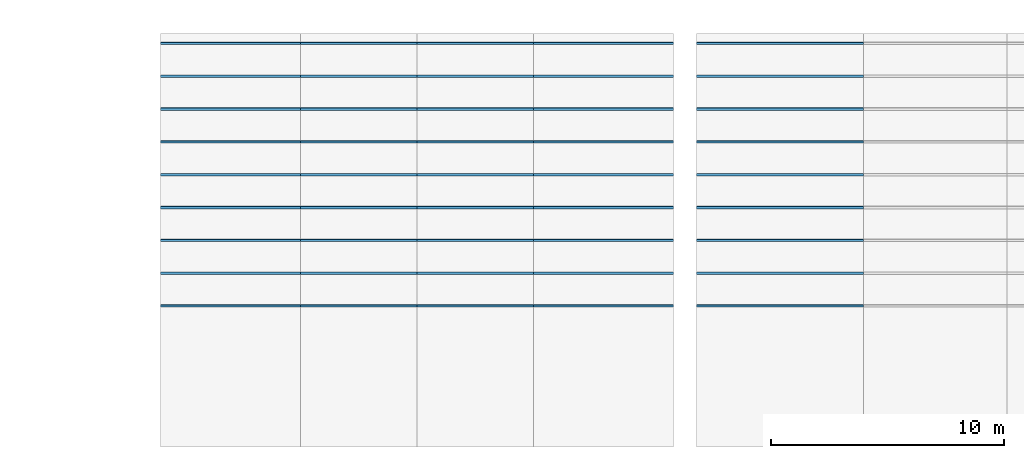
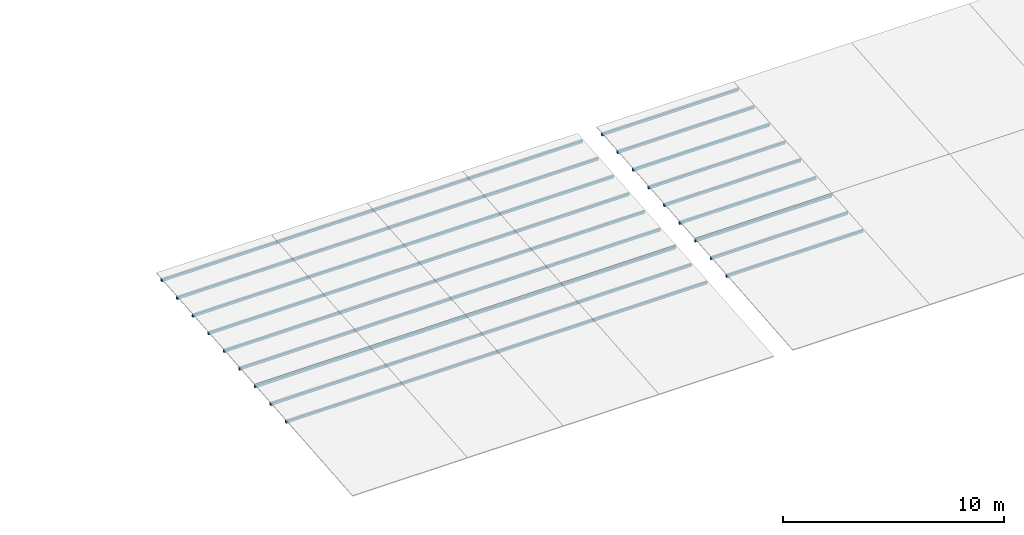
# One storey, part 5 of 24: 45 members.
"""IFC4 building model written with IfcOpenShell, lengths in metres."""

from ifc_helpers import new_model, si_unit, direction, frame, origin, origin_2d, place, context, subcontext, project, spatial, hollow_rectangle, extrude, material, material_profile, profile_set, type_object, element, save


model = new_model("IFC4")

# Units and contexts
model_context = context("Model", 3, precision=1e-05, world=origin(), true_north=direction((0.0, 1.0)))
body_context = subcontext(model_context, "Body", "Model", "MODEL_VIEW")
ifc_project = project(units=[si_unit("LENGTHUNIT", "METRE"), si_unit("AREAUNIT", "SQUARE_METRE"), si_unit("VOLUMEUNIT", "CUBIC_METRE"), si_unit("PLANEANGLEUNIT", "RADIAN"), si_unit("MASSUNIT", "GRAM", prefix="KILO")], contexts=[model_context])

# Site, building, storey
site_placement = place(None, origin())
site = spatial("IfcSite", under=ifc_project, at=site_placement, CompositionType="ELEMENT")
building_placement = place(site_placement, origin())
building = spatial("IfcBuilding", under=site, at=building_placement, Name="Cour d'Honneur Mobility Palace", CompositionType="ELEMENT")
storey_placement = place(building_placement, frame((0.0, 0.0, 26.699951171875)))
storey = spatial("IfcBuildingStorey", under=building, at=storey_placement, Name="L07", CompositionType="ELEMENT", Elevation=26.699951171875)

# Members
ifc_material = material(Name="Steel S355", Category="steel")
ifc_material_profile = material_profile(ifc_material, hollow_rectangle(XDim=0.10009765625, YDim=0.14990234375, WallThickness=0.00634765625, at=origin_2d()), Name="RHS 150x100x6.3")
ifc_profile_set = profile_set([ifc_material_profile], Name="Steel S355")
member_type = type_object("IfcMemberType", Name="Pergola purlin RHS 150x100x6.3", PredefinedType="PURLIN", material=ifc_profile_set)
for number, where, z_axis, x_axis, name in (
    (1, (118.800048828125, 50.885009765625, 0.18115234375), (1.0, 0.0, 0.0), (0.0, 0.996196869991, 0.08713091426), "Pergola purlin FE-5.1"),
    (2, (118.800048828125, 52.29248046875, 0.30419921875), (1.0, 0.0, 0.0), (0.0, 0.996196869991, 0.08713091426), "Pergola purlin FE-6.1"),
    (3, (118.800048828125, 53.699951171875, 0.42724609375), (1.0, 0.0, 0.0), (0.0, 0.996196869991, 0.08713091426), "Pergola purlin FE-7.1"),
    (4, (118.800048828125, 55.107421875, 0.55029296875), (1.0, 0.0, 0.0), (0.0, 0.996196869991, 0.08713091426), "Pergola purlin FE-8.1"),
    (5, (118.800048828125, 56.514892578125, 0.67333984375), (1.0, 0.0, 0.0), (0.0, 0.996196869991, 0.08713091426), "Pergola purlin FE-9.1"),
    (6, (118.800048828125, 57.922607421875, 0.796630859375), (1.0, 0.0, 0.0), (0.0, 0.996196869991, 0.08713091426), "Pergola purlin FE-10.1"),
    (7, (118.800048828125, 59.330078125, 0.919677734375), (1.0, 0.0, 0.0), (0.0, 0.996196869991, 0.08713091426), "Pergola purlin FE-11.1"),
    (8, (118.800048828125, 60.737548828125, 1.042724609375), (1.0, 0.0, 0.0), (0.0, 0.996196869991, 0.08713091426), "Pergola purlin FE-12.1"),
    (9, (118.800048828125, 62.14501953125, 1.165771484375), (1.0, 0.0, 0.0), (0.0, 0.996196869991, 0.08713091426), "Pergola purlin FE-13.1"),
):
    element("IfcMember", number, at=place(storey_placement, frame(where, z_axis=z_axis, x_axis=x_axis)), inside=storey, type_object=member_type, Name=name, PredefinedType="PURLIN", context=body_context, shape_type="SweptSolid", body=[
        extrude(hollow_rectangle(XDim=0.10009765625, YDim=0.14990234375, WallThickness=0.00634765625, at=origin_2d()), origin(), (0.0, 0.0, 1.0), 7.14990234375),
    ])
member_1_placement = place(storey_placement, frame((95.800048828125, 50.885009765625, 0.18115234375), z_axis=(1.0, 0.0, 0.0), x_axis=(0.0, 0.996196869991, 0.08713091426)))
element("IfcMember", 10, at=member_1_placement, inside=storey, type_object=member_type, Name="Pergola purlin PE-5.1", PredefinedType="PURLIN", context=body_context, shape_type="SweptSolid", body=[
    extrude(hollow_rectangle(XDim=0.10009765625, YDim=0.14990234375, WallThickness=0.00634765625, at=origin_2d()), origin(), (0.0, 0.0, 1.0), 6.0),
])
for number, where, z_axis, x_axis, name in (
    (11, (101.800048828125, 50.885009765625, 0.18115234375), (1.0, 0.0, 0.0), (0.0, 0.996196869991, 0.08713091426), "Pergola purlin PE-5.2"),
    (12, (106.800048828125, 50.885009765625, 0.18115234375), (1.0, 0.0, 0.0), (0.0, 0.996196869991, 0.08713091426), "Pergola purlin PE-5.3"),
):
    element("IfcMember", number, at=place(storey_placement, frame(where, z_axis=z_axis, x_axis=x_axis)), inside=storey, type_object=member_type, Name=name, PredefinedType="PURLIN", context=body_context, shape_type="SweptSolid", body=[
        extrude(hollow_rectangle(XDim=0.10009765625, YDim=0.14990234375, WallThickness=0.00634765625, at=origin_2d()), origin(), (0.0, 0.0, 1.0), 5.0),
    ])
for number, where, z_axis, x_axis, name in (
    (13, (111.800048828125, 50.885009765625, 0.18115234375), (1.0, 0.0, 0.0), (0.0, 0.996196869991, 0.08713091426), "Pergola purlin PE-5.4"),
    (14, (95.800048828125, 52.29248046875, 0.30419921875), (1.0, 0.0, 0.0), (0.0, 0.996196869991, 0.08713091426), "Pergola purlin PE-6.1"),
):
    element("IfcMember", number, at=place(storey_placement, frame(where, z_axis=z_axis, x_axis=x_axis)), inside=storey, type_object=member_type, Name=name, PredefinedType="PURLIN", context=body_context, shape_type="SweptSolid", body=[
        extrude(hollow_rectangle(XDim=0.10009765625, YDim=0.14990234375, WallThickness=0.00634765625, at=origin_2d()), origin(), (0.0, 0.0, 1.0), 6.0),
    ])
for number, where, z_axis, x_axis, name in (
    (15, (101.800048828125, 52.29248046875, 0.30419921875), (1.0, 0.0, 0.0), (0.0, 0.996196869991, 0.08713091426), "Pergola purlin PE-6.2"),
    (16, (106.800048828125, 52.29248046875, 0.30419921875), (1.0, 0.0, 0.0), (0.0, 0.996196869991, 0.08713091426), "Pergola purlin PE-6.3"),
):
    element("IfcMember", number, at=place(storey_placement, frame(where, z_axis=z_axis, x_axis=x_axis)), inside=storey, type_object=member_type, Name=name, PredefinedType="PURLIN", context=body_context, shape_type="SweptSolid", body=[
        extrude(hollow_rectangle(XDim=0.10009765625, YDim=0.14990234375, WallThickness=0.00634765625, at=origin_2d()), origin(), (0.0, 0.0, 1.0), 5.0),
    ])
for number, where, z_axis, x_axis, name in (
    (17, (111.800048828125, 52.29248046875, 0.30419921875), (1.0, 0.0, 0.0), (0.0, 0.996196869991, 0.08713091426), "Pergola purlin PE-6.4"),
    (18, (95.800048828125, 53.699951171875, 0.42724609375), (1.0, 0.0, 0.0), (0.0, 0.996196869991, 0.08713091426), "Pergola purlin PE-7.1"),
):
    element("IfcMember", number, at=place(storey_placement, frame(where, z_axis=z_axis, x_axis=x_axis)), inside=storey, type_object=member_type, Name=name, PredefinedType="PURLIN", context=body_context, shape_type="SweptSolid", body=[
        extrude(hollow_rectangle(XDim=0.10009765625, YDim=0.14990234375, WallThickness=0.00634765625, at=origin_2d()), origin(), (0.0, 0.0, 1.0), 6.0),
    ])
for number, where, z_axis, x_axis, name in (
    (19, (101.800048828125, 53.699951171875, 0.42724609375), (1.0, 0.0, 0.0), (0.0, 0.996196869991, 0.08713091426), "Pergola purlin PE-7.2"),
    (20, (106.800048828125, 53.699951171875, 0.42724609375), (1.0, 0.0, 0.0), (0.0, 0.996196869991, 0.08713091426), "Pergola purlin PE-7.3"),
):
    element("IfcMember", number, at=place(storey_placement, frame(where, z_axis=z_axis, x_axis=x_axis)), inside=storey, type_object=member_type, Name=name, PredefinedType="PURLIN", context=body_context, shape_type="SweptSolid", body=[
        extrude(hollow_rectangle(XDim=0.10009765625, YDim=0.14990234375, WallThickness=0.00634765625, at=origin_2d()), origin(), (0.0, 0.0, 1.0), 5.0),
    ])
for number, where, z_axis, x_axis, name in (
    (21, (111.800048828125, 53.699951171875, 0.42724609375), (1.0, 0.0, 0.0), (0.0, 0.996196869991, 0.08713091426), "Pergola purlin PE-7.4"),
    (22, (95.800048828125, 55.107421875, 0.55029296875), (1.0, 0.0, 0.0), (0.0, 0.996196869991, 0.08713091426), "Pergola purlin PE-8.1"),
):
    element("IfcMember", number, at=place(storey_placement, frame(where, z_axis=z_axis, x_axis=x_axis)), inside=storey, type_object=member_type, Name=name, PredefinedType="PURLIN", context=body_context, shape_type="SweptSolid", body=[
        extrude(hollow_rectangle(XDim=0.10009765625, YDim=0.14990234375, WallThickness=0.00634765625, at=origin_2d()), origin(), (0.0, 0.0, 1.0), 6.0),
    ])
for number, where, z_axis, x_axis, name in (
    (23, (101.800048828125, 55.107421875, 0.55029296875), (1.0, 0.0, 0.0), (0.0, 0.996196869991, 0.08713091426), "Pergola purlin PE-8.2"),
    (24, (106.800048828125, 55.107421875, 0.55029296875), (1.0, 0.0, 0.0), (0.0, 0.996196869991, 0.08713091426), "Pergola purlin PE-8.3"),
):
    element("IfcMember", number, at=place(storey_placement, frame(where, z_axis=z_axis, x_axis=x_axis)), inside=storey, type_object=member_type, Name=name, PredefinedType="PURLIN", context=body_context, shape_type="SweptSolid", body=[
        extrude(hollow_rectangle(XDim=0.10009765625, YDim=0.14990234375, WallThickness=0.00634765625, at=origin_2d()), origin(), (0.0, 0.0, 1.0), 5.0),
    ])
for number, where, z_axis, x_axis, name in (
    (25, (111.800048828125, 55.107421875, 0.55029296875), (1.0, 0.0, 0.0), (0.0, 0.996196869991, 0.08713091426), "Pergola purlin PE-8.4"),
    (26, (95.800048828125, 56.514892578125, 0.67333984375), (1.0, 0.0, 0.0), (0.0, 0.996196869991, 0.08713091426), "Pergola purlin PE-9.1"),
):
    element("IfcMember", number, at=place(storey_placement, frame(where, z_axis=z_axis, x_axis=x_axis)), inside=storey, type_object=member_type, Name=name, PredefinedType="PURLIN", context=body_context, shape_type="SweptSolid", body=[
        extrude(hollow_rectangle(XDim=0.10009765625, YDim=0.14990234375, WallThickness=0.00634765625, at=origin_2d()), origin(), (0.0, 0.0, 1.0), 6.0),
    ])
for number, where, z_axis, x_axis, name in (
    (27, (101.800048828125, 56.514892578125, 0.67333984375), (1.0, 0.0, 0.0), (0.0, 0.996196869991, 0.08713091426), "Pergola purlin PE-9.2"),
    (28, (106.800048828125, 56.514892578125, 0.67333984375), (1.0, 0.0, 0.0), (0.0, 0.996196869991, 0.08713091426), "Pergola purlin PE-9.3"),
):
    element("IfcMember", number, at=place(storey_placement, frame(where, z_axis=z_axis, x_axis=x_axis)), inside=storey, type_object=member_type, Name=name, PredefinedType="PURLIN", context=body_context, shape_type="SweptSolid", body=[
        extrude(hollow_rectangle(XDim=0.10009765625, YDim=0.14990234375, WallThickness=0.00634765625, at=origin_2d()), origin(), (0.0, 0.0, 1.0), 5.0),
    ])
for number, where, z_axis, x_axis, name in (
    (29, (111.800048828125, 56.514892578125, 0.67333984375), (1.0, 0.0, 0.0), (0.0, 0.996196869991, 0.08713091426), "Pergola purlin PE-9.4"),
    (30, (95.800048828125, 57.922607421875, 0.796630859375), (1.0, 0.0, 0.0), (0.0, 0.996196869991, 0.08713091426), "Pergola purlin PE-10.1"),
):
    element("IfcMember", number, at=place(storey_placement, frame(where, z_axis=z_axis, x_axis=x_axis)), inside=storey, type_object=member_type, Name=name, PredefinedType="PURLIN", context=body_context, shape_type="SweptSolid", body=[
        extrude(hollow_rectangle(XDim=0.10009765625, YDim=0.14990234375, WallThickness=0.00634765625, at=origin_2d()), origin(), (0.0, 0.0, 1.0), 6.0),
    ])
for number, where, z_axis, x_axis, name in (
    (31, (101.800048828125, 57.922607421875, 0.796630859375), (1.0, 0.0, 0.0), (0.0, 0.996196869991, 0.08713091426), "Pergola purlin PE-10.2"),
    (32, (106.800048828125, 57.922607421875, 0.796630859375), (1.0, 0.0, 0.0), (0.0, 0.996196869991, 0.08713091426), "Pergola purlin PE-10.3"),
):
    element("IfcMember", number, at=place(storey_placement, frame(where, z_axis=z_axis, x_axis=x_axis)), inside=storey, type_object=member_type, Name=name, PredefinedType="PURLIN", context=body_context, shape_type="SweptSolid", body=[
        extrude(hollow_rectangle(XDim=0.10009765625, YDim=0.14990234375, WallThickness=0.00634765625, at=origin_2d()), origin(), (0.0, 0.0, 1.0), 5.0),
    ])
for number, where, z_axis, x_axis, name in (
    (33, (111.800048828125, 57.922607421875, 0.796630859375), (1.0, 0.0, 0.0), (0.0, 0.996196869991, 0.08713091426), "Pergola purlin PE-10.4"),
    (34, (95.800048828125, 59.330078125, 0.919677734375), (1.0, 0.0, 0.0), (0.0, 0.996196869991, 0.08713091426), "Pergola purlin PE-11.1"),
):
    element("IfcMember", number, at=place(storey_placement, frame(where, z_axis=z_axis, x_axis=x_axis)), inside=storey, type_object=member_type, Name=name, PredefinedType="PURLIN", context=body_context, shape_type="SweptSolid", body=[
        extrude(hollow_rectangle(XDim=0.10009765625, YDim=0.14990234375, WallThickness=0.00634765625, at=origin_2d()), origin(), (0.0, 0.0, 1.0), 6.0),
    ])
for number, where, z_axis, x_axis, name in (
    (35, (101.800048828125, 59.330078125, 0.919677734375), (1.0, 0.0, 0.0), (0.0, 0.996196869991, 0.08713091426), "Pergola purlin PE-11.2"),
    (36, (106.800048828125, 59.330078125, 0.919677734375), (1.0, 0.0, 0.0), (0.0, 0.996196869991, 0.08713091426), "Pergola purlin PE-11.3"),
):
    element("IfcMember", number, at=place(storey_placement, frame(where, z_axis=z_axis, x_axis=x_axis)), inside=storey, type_object=member_type, Name=name, PredefinedType="PURLIN", context=body_context, shape_type="SweptSolid", body=[
        extrude(hollow_rectangle(XDim=0.10009765625, YDim=0.14990234375, WallThickness=0.00634765625, at=origin_2d()), origin(), (0.0, 0.0, 1.0), 5.0),
    ])
for number, where, z_axis, x_axis, name in (
    (37, (111.800048828125, 59.330078125, 0.919677734375), (1.0, 0.0, 0.0), (0.0, 0.996196869991, 0.08713091426), "Pergola purlin PE-11.4"),
    (38, (95.800048828125, 60.737548828125, 1.042724609375), (1.0, 0.0, 0.0), (0.0, 0.996196869991, 0.08713091426), "Pergola purlin PE-12.1"),
):
    element("IfcMember", number, at=place(storey_placement, frame(where, z_axis=z_axis, x_axis=x_axis)), inside=storey, type_object=member_type, Name=name, PredefinedType="PURLIN", context=body_context, shape_type="SweptSolid", body=[
        extrude(hollow_rectangle(XDim=0.10009765625, YDim=0.14990234375, WallThickness=0.00634765625, at=origin_2d()), origin(), (0.0, 0.0, 1.0), 6.0),
    ])
for number, where, z_axis, x_axis, name in (
    (39, (101.800048828125, 60.737548828125, 1.042724609375), (1.0, 0.0, 0.0), (0.0, 0.996196869991, 0.08713091426), "Pergola purlin PE-12.2"),
    (40, (106.800048828125, 60.737548828125, 1.042724609375), (1.0, 0.0, 0.0), (0.0, 0.996196869991, 0.08713091426), "Pergola purlin PE-12.3"),
):
    element("IfcMember", number, at=place(storey_placement, frame(where, z_axis=z_axis, x_axis=x_axis)), inside=storey, type_object=member_type, Name=name, PredefinedType="PURLIN", context=body_context, shape_type="SweptSolid", body=[
        extrude(hollow_rectangle(XDim=0.10009765625, YDim=0.14990234375, WallThickness=0.00634765625, at=origin_2d()), origin(), (0.0, 0.0, 1.0), 5.0),
    ])
for number, where, z_axis, x_axis, name in (
    (41, (111.800048828125, 60.737548828125, 1.042724609375), (1.0, 0.0, 0.0), (0.0, 0.996196869991, 0.08713091426), "Pergola purlin PE-12.4"),
    (42, (95.800048828125, 62.14501953125, 1.165771484375), (1.0, 0.0, 0.0), (0.0, 0.996196869991, 0.08713091426), "Pergola purlin PE-13.1"),
):
    element("IfcMember", number, at=place(storey_placement, frame(where, z_axis=z_axis, x_axis=x_axis)), inside=storey, type_object=member_type, Name=name, PredefinedType="PURLIN", context=body_context, shape_type="SweptSolid", body=[
        extrude(hollow_rectangle(XDim=0.10009765625, YDim=0.14990234375, WallThickness=0.00634765625, at=origin_2d()), origin(), (0.0, 0.0, 1.0), 6.0),
    ])
for number, where, z_axis, x_axis, name in (
    (43, (101.800048828125, 62.14501953125, 1.165771484375), (1.0, 0.0, 0.0), (0.0, 0.996196869991, 0.08713091426), "Pergola purlin PE-13.2"),
    (44, (106.800048828125, 62.14501953125, 1.165771484375), (1.0, 0.0, 0.0), (0.0, 0.996196869991, 0.08713091426), "Pergola purlin PE-13.3"),
):
    element("IfcMember", number, at=place(storey_placement, frame(where, z_axis=z_axis, x_axis=x_axis)), inside=storey, type_object=member_type, Name=name, PredefinedType="PURLIN", context=body_context, shape_type="SweptSolid", body=[
        extrude(hollow_rectangle(XDim=0.10009765625, YDim=0.14990234375, WallThickness=0.00634765625, at=origin_2d()), origin(), (0.0, 0.0, 1.0), 5.0),
    ])
member_2_placement = place(storey_placement, frame((111.800048828125, 62.14501953125, 1.165771484375), z_axis=(1.0, 0.0, 0.0), x_axis=(0.0, 0.996196869991, 0.08713091426)))
element("IfcMember", 45, at=member_2_placement, inside=storey, type_object=member_type, Name="Pergola purlin PE-13.4", PredefinedType="PURLIN", context=body_context, shape_type="SweptSolid", body=[
    extrude(hollow_rectangle(XDim=0.10009765625, YDim=0.14990234375, WallThickness=0.00634765625, at=origin_2d()), origin(), (0.0, 0.0, 1.0), 6.0),
])

save(model, "model.ifc")
